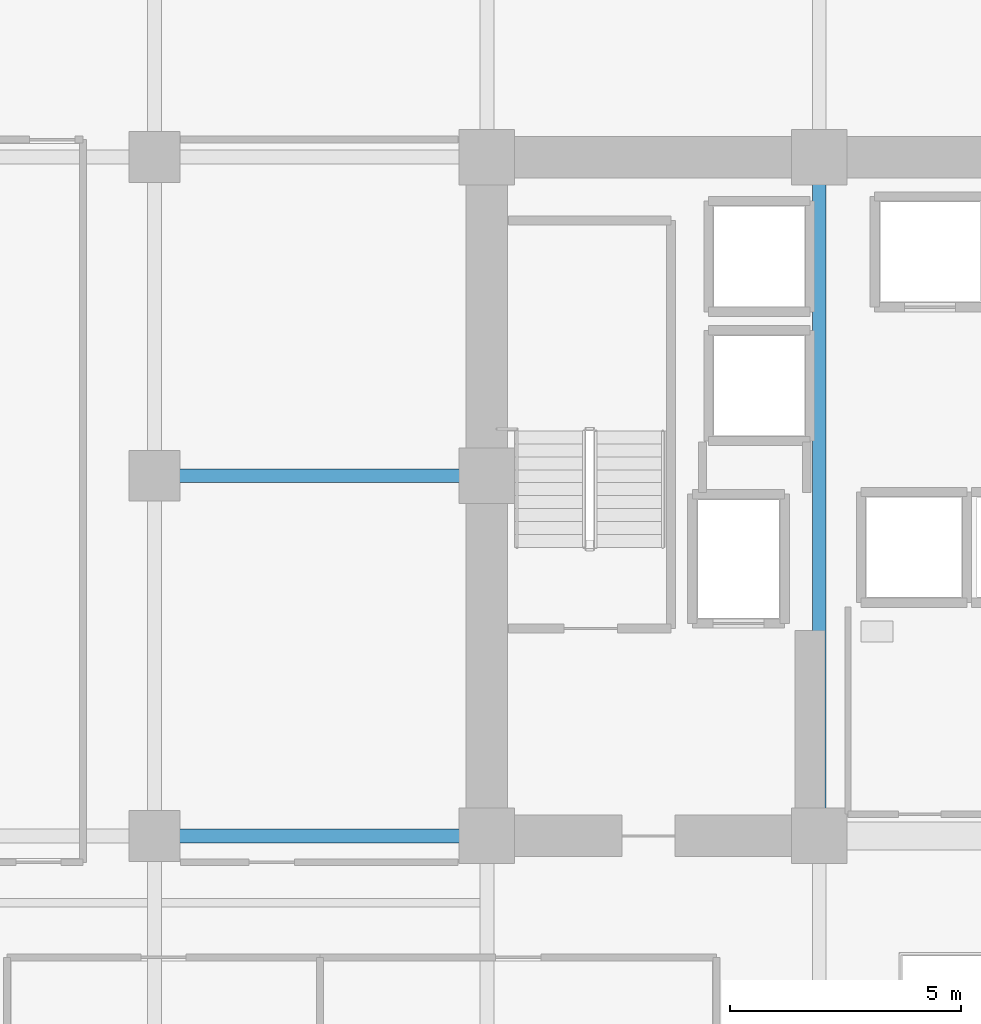
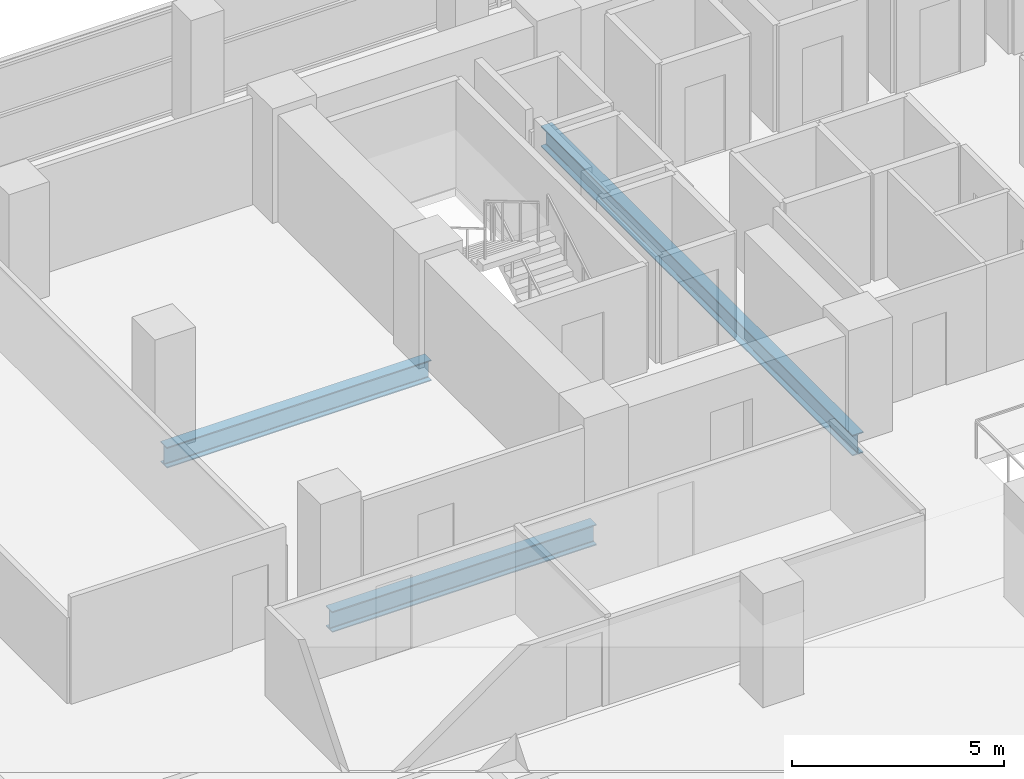
# One storey, part 8 of 31: 3 beams.
"""IFC4 building model written with IfcOpenShell, lengths in metres."""

from ifc_helpers import new_model, si_unit, direction, frame, origin, origin_2d, place, context, subcontext, project, spatial, i_section, extrude, material, material_profile, profile_set, type_object, element, save


model = new_model("IFC4")

# Units and contexts
model_context = context("Model", 3, precision=1e-05, world=origin(), true_north=direction((0.0, 1.0)))
body_context = subcontext(model_context, "Body", "Model", "MODEL_VIEW")
ifc_project = project(units=[si_unit("LENGTHUNIT", "METRE"), si_unit("AREAUNIT", "SQUARE_METRE"), si_unit("VOLUMEUNIT", "CUBIC_METRE"), si_unit("PLANEANGLEUNIT", "RADIAN"), si_unit("MASSUNIT", "GRAM", prefix="KILO")], contexts=[model_context])

# Site, building, storey
site_placement = place(None, origin())
site = spatial("IfcSite", under=ifc_project, at=site_placement, CompositionType="ELEMENT")
building_placement = place(site_placement, origin())
building = spatial("IfcBuilding", under=site, at=building_placement, Name="Zarnakvel Exchange Tower", CompositionType="ELEMENT")
storey_placement = place(building_placement, frame((0.0, 0.0, 47.199951171875)))
storey = spatial("IfcBuildingStorey", under=building, at=storey_placement, Name="L12", CompositionType="ELEMENT", Elevation=47.199951171875)

# Beams
ifc_material = material(Name="Steel S355", Category="steel")
ifc_material_profile = material_profile(ifc_material, i_section(OverallWidth=0.300048828125, OverallDepth=0.60009765625, WebThickness=0.015380859375, FlangeThickness=0.030029296875, FilletRadius=0.027099609375, at=origin_2d()))
ifc_profile_set = profile_set([ifc_material_profile], Name="Steel S355")
beam_type = type_object("IfcBeamType", Name="G-04", PredefinedType="BEAM", material=ifc_profile_set)
for number, where, z_axis, x_axis, name in (
    (1, (-21.60009765625, -1.199951171875, -0.52490234375), (1.0, 0.0, 0.0), (0.0, 1.0, 0.0), "L12 Tower E-W Frame Beam"),
    (2, (-21.60009765625, 6.60009765625, -0.52490234375), (1.0, 0.0, 0.0), (0.0, 1.0, 0.0), "L12 Tower E-W Frame Beam"),
):
    element("IfcBeam", number, at=place(storey_placement, frame(where, z_axis=z_axis, x_axis=x_axis)), inside=storey, type_object=beam_type, Name=name, PredefinedType="BEAM", context=body_context, shape_type="SweptSolid", body=[
        extrude(i_section(OverallWidth=0.300048828125, OverallDepth=0.60009765625, WebThickness=0.015380859375, FlangeThickness=0.030029296875, FilletRadius=0.027099609375, at=origin_2d()), origin(), (0.0, 0.0, 1.0), 7.2001953125),
    ])
beam_placement = place(storey_placement, frame((-7.199951171875, -1.199951171875, -0.52490234375), z_axis=(0.0, 1.0, 0.0), x_axis=(-1.0, 0.0, 0.0)))
element("IfcBeam", 3, at=beam_placement, inside=storey, type_object=beam_type, Name="L12 Tower N-S Frame Beam", PredefinedType="BEAM", context=body_context, shape_type="SweptSolid", body=[
    extrude(i_section(OverallWidth=0.300048828125, OverallDepth=0.60009765625, WebThickness=0.015380859375, FlangeThickness=0.030029296875, FilletRadius=0.027099609375, at=origin_2d()), origin(), (0.0, 0.0, 1.0), 14.699951171875),
])

save(model, "model.ifc")
